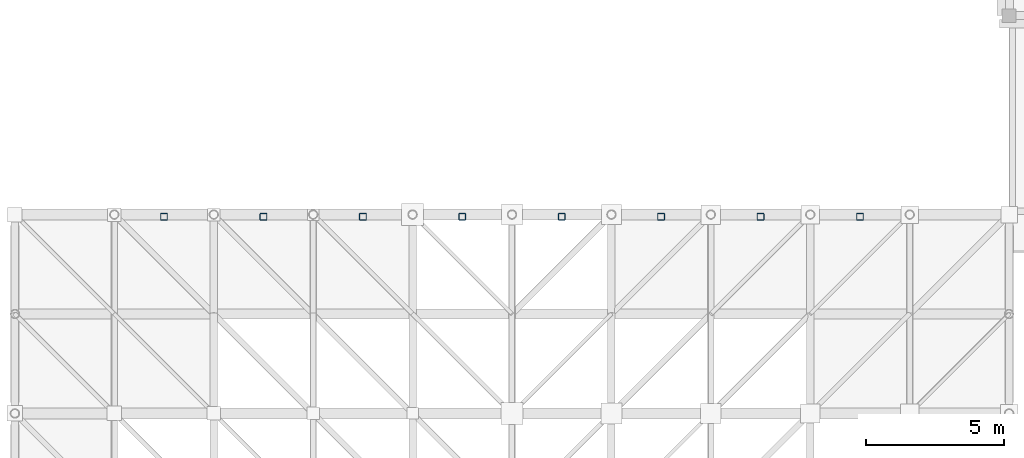
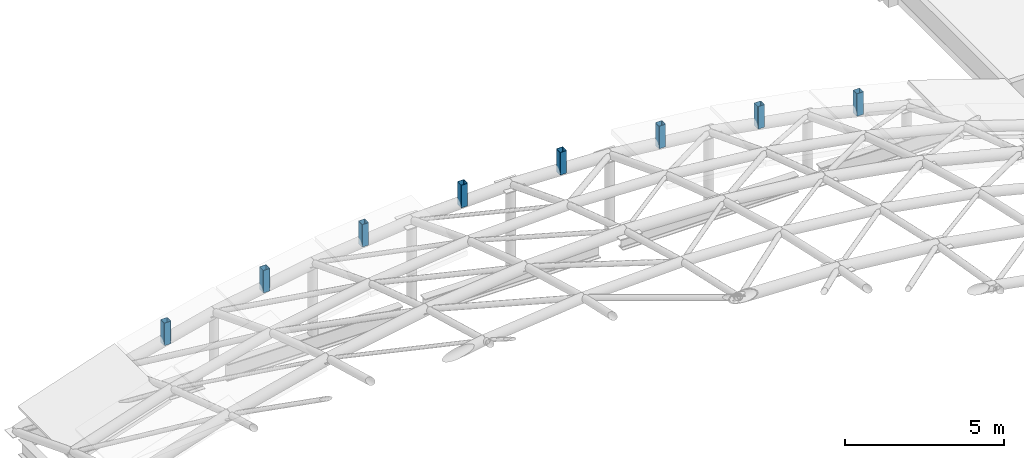
# One storey, part 22 of 40: 8 members.
"""IFC4 building model written with IfcOpenShell, lengths in metres."""

from ifc_helpers import new_model, si_unit, direction, frame, origin, origin_2d, place, context, subcontext, project, spatial, hollow_rectangle, extrude, material, material_profile, profile_set, type_object, element, save


model = new_model("IFC4")

# Units and contexts
model_context = context("Model", 3, precision=1e-05, world=origin(), true_north=direction((0.0, 1.0)))
body_context = subcontext(model_context, "Body", "Model", "MODEL_VIEW")
ifc_project = project(units=[si_unit("LENGTHUNIT", "METRE"), si_unit("AREAUNIT", "SQUARE_METRE"), si_unit("VOLUMEUNIT", "CUBIC_METRE"), si_unit("PLANEANGLEUNIT", "RADIAN"), si_unit("MASSUNIT", "GRAM", prefix="KILO")], contexts=[model_context])

# Site, building, storey
site_placement = place(None, origin())
site = spatial("IfcSite", under=ifc_project, at=site_placement, CompositionType="ELEMENT")
building_placement = place(site_placement, origin())
building = spatial("IfcBuilding", under=site, at=building_placement, Name="Kavelor Marine Aquarium", CompositionType="ELEMENT")
storey_placement = place(building_placement, frame((0.0, 0.0, 17.639892578125)))
storey = spatial("IfcBuildingStorey", under=building, at=storey_placement, Name="L04", CompositionType="ELEMENT", Elevation=17.639892578125)

# Members
ifc_material = material(Name="Steel S355", Category="steel")
ifc_material_profile = material_profile(ifc_material, hollow_rectangle(XDim=0.25, YDim=0.25, WallThickness=0.010009765625, InnerFilletRadius=0.014892578125, OuterFilletRadius=0.02490234375, at=origin_2d()), Name="SHS 250x250x10.0")
ifc_profile_set = profile_set([ifc_material_profile], Name="Steel S355")
member_type = type_object("IfcMemberType", Name="ST-PV1", PredefinedType="CHORD", material=ifc_profile_set)
for number, where, z_axis, x_axis, name in (
    (1, (8.60009765625, 81.919921875, 1.5810546875), (0.0, 0.0, 1.0), (1.0, 0.0, 0.0), "gs:gpost:01_15"),
    (2, (12.199951171875, 81.919921875, 2.347412109375), (0.0, 0.0, 1.0), (1.0, 0.0, 0.0), "gs:gpost:02_15"),
):
    element("IfcMember", number, at=place(storey_placement, frame(where, z_axis=z_axis, x_axis=x_axis)), inside=storey, type_object=member_type, Name=name, PredefinedType="CHORD", context=body_context, shape_type="SweptSolid", body=[
        extrude(hollow_rectangle(XDim=0.25, YDim=0.25, WallThickness=0.010009765625, InnerFilletRadius=0.014892578125, OuterFilletRadius=0.02490234375, at=origin_2d()), origin(), (0.0, 0.0, 1.0), 0.864501953125),
    ])
for number, where, z_axis, x_axis, name in (
    (3, (15.800048828125, 81.919921875, 2.85205078125), (0.0, 0.0, 1.0), (1.0, 0.0, 0.0), "gs:gpost:03_15"),
    (4, (19.39990234375, 81.919921875, 3.1025390625), (0.0, 0.0, 1.0), (1.0, 0.0, 0.0), "gs:gpost:04_15"),
    (5, (23.0, 81.919921875, 3.1025390625), (0.0, 0.0, 1.0), (1.0, 0.0, 0.0), "gs:gpost:05_15"),
    (6, (26.60009765625, 81.919921875, 2.85205078125), (0.0, 0.0, 1.0), (1.0, 0.0, 0.0), "gs:gpost:06_15"),
):
    element("IfcMember", number, at=place(storey_placement, frame(where, z_axis=z_axis, x_axis=x_axis)), inside=storey, type_object=member_type, Name=name, PredefinedType="CHORD", context=body_context, shape_type="SweptSolid", body=[
        extrude(hollow_rectangle(XDim=0.25, YDim=0.25, WallThickness=0.010009765625, InnerFilletRadius=0.014892578125, OuterFilletRadius=0.02490234375, at=origin_2d()), origin(), (0.0, 0.0, 1.0), 0.8642578125),
    ])
for number, where, z_axis, x_axis, name in (
    (7, (30.199951171875, 81.919921875, 2.347412109375), (0.0, 0.0, 1.0), (1.0, 0.0, 0.0), "gs:gpost:07_15"),
    (8, (33.800048828125, 81.919921875, 1.5810546875), (0.0, 0.0, 1.0), (1.0, 0.0, 0.0), "gs:gpost:08_15"),
):
    element("IfcMember", number, at=place(storey_placement, frame(where, z_axis=z_axis, x_axis=x_axis)), inside=storey, type_object=member_type, Name=name, PredefinedType="CHORD", context=body_context, shape_type="SweptSolid", body=[
        extrude(hollow_rectangle(XDim=0.25, YDim=0.25, WallThickness=0.010009765625, InnerFilletRadius=0.014892578125, OuterFilletRadius=0.02490234375, at=origin_2d()), origin(), (0.0, 0.0, 1.0), 0.864501953125),
    ])

save(model, "model.ifc")
